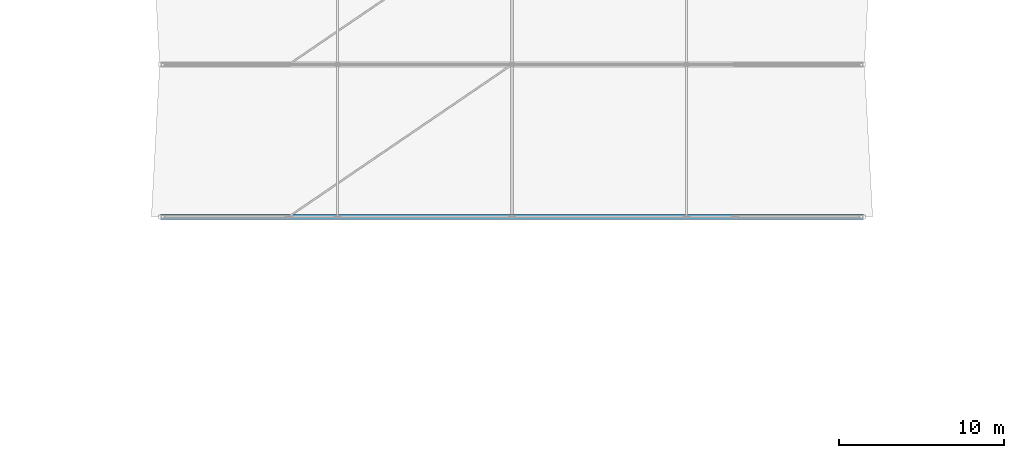
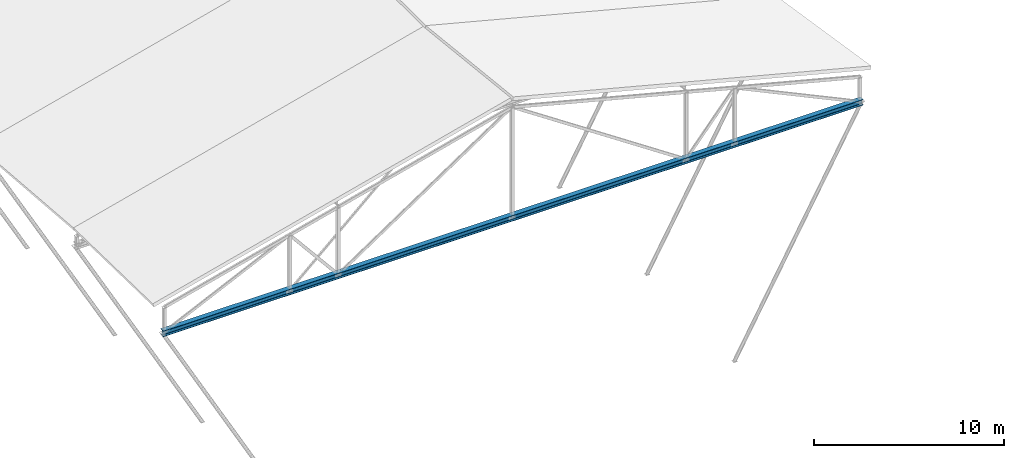
# One storey, part 9 of 56: 1 beam.
"""IFC4 building model written with IfcOpenShell, lengths in metres."""

import ifcopenshell
import ifcopenshell.guid

model = None  # the IFC model being written
_history = None  # IfcOwnerHistory: only IFC2X3 demands one
_inside = {}  # id of a spatial element -> (the spatial element, [elements in it])
_under = {}  # id of a project, library or spatial element -> (it, [spatial elements below it])
_declared = {}  # id of a project -> (the project, [libraries it declares])
_typed = {}  # id of a type object -> (the type object, [elements of that type])
_made_of = {}  # id of a material, layer set ... -> (it, [elements and type objects made of it])


def new_model(schema):
    """Start an empty IFC model of exactly this schema.

    Asked for "IFC4X3", IfcOpenShell would pick the latest addendum, in which some entities
    have other attributes; the version numbers below select the first issue.
    IFC2X3 requires an IfcOwnerHistory on every rooted entity: one is made here for all.
    """
    global model, _history
    if schema == "IFC4X3":
        model = ifcopenshell.file(schema_version=(4, 3, 0, 0))
    else:
        model = ifcopenshell.file(schema=schema)
    _inside.clear()
    _under.clear()
    _declared.clear()
    _typed.clear()
    _made_of.clear()
    _history = None
    if model.schema == "IFC2X3":
        org = make("IfcOrganization", Name="unknown")
        user = make(
            "IfcPersonAndOrganization",
            ThePerson=make("IfcPerson", FamilyName="unknown"),
            TheOrganization=org,
        )
        app = make(
            "IfcApplication",
            ApplicationDeveloper=org,
            Version="unknown",
            ApplicationFullName="unknown",
            ApplicationIdentifier="unknown",
        )
        _history = make(
            "IfcOwnerHistory",
            OwningUser=user,
            OwningApplication=app,
            ChangeAction="ADDED",
            CreationDate=0,
        )
    return model


def make(cls, **values):
    """One entity of the class cls with the attributes given. An attribute that is None is left unset."""
    return model.create_entity(
        cls, **{name: value for name, value in values.items() if value is not None}
    )


def rooted(cls, **values):
    """An entity with a GlobalId (a new one), such as an element, a storey or a relation."""
    return make(cls, GlobalId=ifcopenshell.guid.new(), OwnerHistory=_history, **values)


def si_unit(unit_type, name, prefix=None):
    """IfcSIUnit, for example si_unit("LENGTHUNIT", "METRE", prefix="MILLI")."""
    return make("IfcSIUnit", UnitType=unit_type, Prefix=prefix, Name=name)


def assignment(units):
    """IfcUnitAssignment: the units of a project."""
    return None if units is None else make("IfcUnitAssignment", Units=units)


def point(xyz):
    """IfcCartesianPoint."""
    return None if xyz is None else make("IfcCartesianPoint", Coordinates=xyz)


def direction(xyz):
    """IfcDirection."""
    return None if xyz is None else make("IfcDirection", DirectionRatios=xyz)


def frame(location, z_axis=None, x_axis=None):
    """IfcAxis2Placement3D, a coordinate frame: its origin and axes. An axis left out is left unset."""
    return make(
        "IfcAxis2Placement3D",
        Location=point(location),
        Axis=direction(z_axis),
        RefDirection=direction(x_axis),
    )


def frame_2d(location, x_axis=None):
    """IfcAxis2Placement2D, a coordinate frame in the plane: its origin and x axis."""
    return make(
        "IfcAxis2Placement2D", Location=point(location), RefDirection=direction(x_axis)
    )


def origin():
    """The frame at (0, 0, 0) with its axes left unset."""
    return frame((0.0, 0.0, 0.0))


def origin_2d():
    """The frame at (0, 0) in the plane with its x axis left unset."""
    return frame_2d((0.0, 0.0))


def place(relative_to, where):
    """IfcLocalPlacement: puts the frame where relative to a parent placement (None: the world)."""
    return make(
        "IfcLocalPlacement", PlacementRelTo=relative_to, RelativePlacement=where
    )


def context(
    kind, dimensions, precision=None, world=None, true_north=None, identifier=None
):
    """IfcGeometricRepresentationContext, for example the 3D "Model" context."""
    return make(
        "IfcGeometricRepresentationContext",
        ContextIdentifier=identifier,
        ContextType=kind,
        CoordinateSpaceDimension=dimensions,
        Precision=precision,
        WorldCoordinateSystem=world,
        TrueNorth=true_north,
    )


def subcontext(parent, identifier, kind, view, scale=None):
    """IfcGeometricRepresentationSubContext, for example "Body" below "Model"."""
    return make(
        "IfcGeometricRepresentationSubContext",
        ContextIdentifier=identifier,
        ContextType=kind,
        ParentContext=parent,
        TargetScale=scale,
        TargetView=view,
    )


def project(units=None, contexts=None):
    """IfcProject with its units and contexts."""
    return rooted(
        "IfcProject",
        Name="project",
        RepresentationContexts=contexts,
        UnitsInContext=assignment(units),
    )


def spatial(cls, under=None, at=None, **own):
    """A site, building, storey or space (cls), placed at a placement, below another one or the project."""
    s = rooted(cls, ObjectPlacement=at, **own)
    if under is not None:
        _under.setdefault(under.id(), (under, []))[1].append(s)
    return s


def profile(cls, at=None, kind="AREA", **sizes):
    """A parametric profile (cls). Its sizes go by their IFC names, for example OverallWidth=200.0."""
    return make(cls, ProfileType=kind, Position=at, **sizes)


def i_section(**sizes):
    """IfcIShapeProfileDef."""
    return profile("IfcIShapeProfileDef", **sizes)


def extrude(swept, where, along, depth):
    """IfcExtrudedAreaSolid: the profile swept, set in the frame where, extruded along a direction by depth."""
    return make(
        "IfcExtrudedAreaSolid",
        SweptArea=swept,
        Position=where,
        ExtrudedDirection=direction(along),
        Depth=depth,
    )


def shape(context_of_items, identifier, shape_type, items):
    """IfcShapeRepresentation: the items that make up one representation, for example the "Body"."""
    return make(
        "IfcShapeRepresentation",
        ContextOfItems=context_of_items,
        RepresentationIdentifier=identifier,
        RepresentationType=shape_type,
        Items=items,
    )


def material(Name=None, Category=None):
    """IfcMaterial."""
    return make("IfcMaterial", Name=Name, Category=Category)


def material_profile(
    of_material, cross_section, Name=None, Category=None, Priority=None
):
    """IfcMaterialProfile: a cross section and its material."""
    return make(
        "IfcMaterialProfile",
        Name=Name,
        Material=of_material,
        Profile=cross_section,
        Priority=Priority,
        Category=Category,
    )


def profile_set(profiles, Name=None, composite=None):
    """IfcMaterialProfileSet."""
    return make(
        "IfcMaterialProfileSet",
        Name=Name,
        MaterialProfiles=profiles,
        CompositeProfile=composite,
    )


def made_of(thing, what):
    """Note that an element or type object is made of a material, layer set ...; save() writes the relation."""
    if what is not None:
        _made_of.setdefault(what.id(), (what, []))[1].append(thing)
    return thing


def type_object(cls, material=None, **own):
    """A type object (cls), such as IfcWallType, which elements share."""
    return made_of(rooted(cls, **own), material)


def element(
    cls,
    number,
    at=None,
    inside=None,
    cuts=None,
    type_object=None,
    material=None,
    context=None,
    identifier="Body",
    shape_type=None,
    held_by="IfcProductDefinitionShape",
    body=None,
    shapes=None,
    **own,
):
    """One element of the class cls, such as IfcWall. Its Tag is "e" and its number.

    at: its placement. inside: the storey or other place that contains it. cuts: it is an
    opening in that element (IfcRelVoidsElement). A single representation is given by context,
    identifier, shape_type and body (its items); several are given by shapes. held_by: the class
    of the entity that holds the representations. save() writes the other relations.
    """
    e = rooted(cls, Tag="e%d" % number, ObjectPlacement=at, **own)
    if body is not None:
        shapes = [shape(context, identifier, shape_type, body)]
    if shapes is not None:
        e.Representation = make(held_by, Representations=shapes)
    if inside is not None:
        _inside.setdefault(inside.id(), (inside, []))[1].append(e)
    if cuts is not None:
        rooted(
            "IfcRelVoidsElement", RelatingBuildingElement=cuts, RelatedOpeningElement=e
        )
    if type_object is not None:
        _typed.setdefault(type_object.id(), (type_object, []))[1].append(e)
    return made_of(e, material)


def aggregate(whole, parts):
    """IfcRelAggregates: a whole, such as a stair, and the parts it consists of."""
    return rooted("IfcRelAggregates", RelatingObject=whole, RelatedObjects=parts)


def save(model, path):
    """Write the relations noted so far, then the file.

    IfcRelAggregates (storeys below a building ...), IfcRelContainedInSpatialStructure (elements
    in a storey), IfcRelDefinesByType, IfcRelAssociatesMaterial and IfcRelDeclares: one each for
    every whole, place, type object, material and project.
    """
    for whole, parts in _under.values():
        aggregate(whole, parts)
    for where, things in _inside.values():
        rooted(
            "IfcRelContainedInSpatialStructure",
            RelatedElements=things,
            RelatingStructure=where,
        )
    for kind, things in _typed.values():
        rooted("IfcRelDefinesByType", RelatedObjects=things, RelatingType=kind)
    for what, things in _made_of.values():
        rooted("IfcRelAssociatesMaterial", RelatedObjects=things, RelatingMaterial=what)
    for by, libraries in _declared.values():
        rooted("IfcRelDeclares", RelatingContext=by, RelatedDefinitions=libraries)
    model.write(path)


model = new_model("IFC4")

# Units and contexts
model_context = context("Model", 3, precision=1e-05, world=origin(), true_north=direction((0.0, 1.0)))
body_context = subcontext(model_context, "Body", "Model", "MODEL_VIEW")
ifc_project = project(units=[si_unit("LENGTHUNIT", "METRE"), si_unit("AREAUNIT", "SQUARE_METRE"), si_unit("VOLUMEUNIT", "CUBIC_METRE"), si_unit("PLANEANGLEUNIT", "RADIAN"), si_unit("MASSUNIT", "GRAM", prefix="KILO")], contexts=[model_context])

# Site, building, storey
site_placement = place(None, origin())
site = spatial("IfcSite", under=ifc_project, at=site_placement, CompositionType="ELEMENT")
building_placement = place(site_placement, origin())
building = spatial("IfcBuilding", under=site, at=building_placement, Name="Bozkorgan Art Gallery", CompositionType="ELEMENT")
storey_placement = place(building_placement, frame((0.0, 0.0, 24.0)))
storey = spatial("IfcBuildingStorey", under=building, at=storey_placement, Name="L05", CompositionType="ELEMENT", Elevation=24.0)

# Beam
ifc_material = material(Name="Steel S355J2", Category="steel")
ifc_material_profile = material_profile(ifc_material, i_section(OverallWidth=0.300048828125, OverallDepth=0.360107421875, WebThickness=0.012451171875, FlangeThickness=0.0224609375, FilletRadius=0.027099609375, at=origin_2d()), Name="HEB 360")
ifc_profile_set = profile_set([ifc_material_profile], Name="Steel S355J2")
beam_type = type_object("IfcBeamType", Name="BEAM-TO-26", PredefinedType="BEAM", material=ifc_profile_set)
beam_placement = place(storey_placement, frame((66.260009765625, 47.60009765625, 0.179931640625), z_axis=(1.0, 0.0, 0.0), x_axis=(0.0, 1.0, 0.0)))
element("IfcBeam", 1, at=beam_placement, inside=storey, type_object=beam_type, Name="ROOF-V4-MAIN roof truss 1 bottom chord", PredefinedType="BEAM", context=body_context, shape_type="SweptSolid", body=[
    extrude(i_section(OverallWidth=0.300048828125, OverallDepth=0.360107421875, WebThickness=0.012451171875, FlangeThickness=0.0224609375, FilletRadius=0.027099609375, at=origin_2d()), origin(), (0.0, 0.0, 1.0), 42.47998046875),
])

save(model, "model.ifc")
